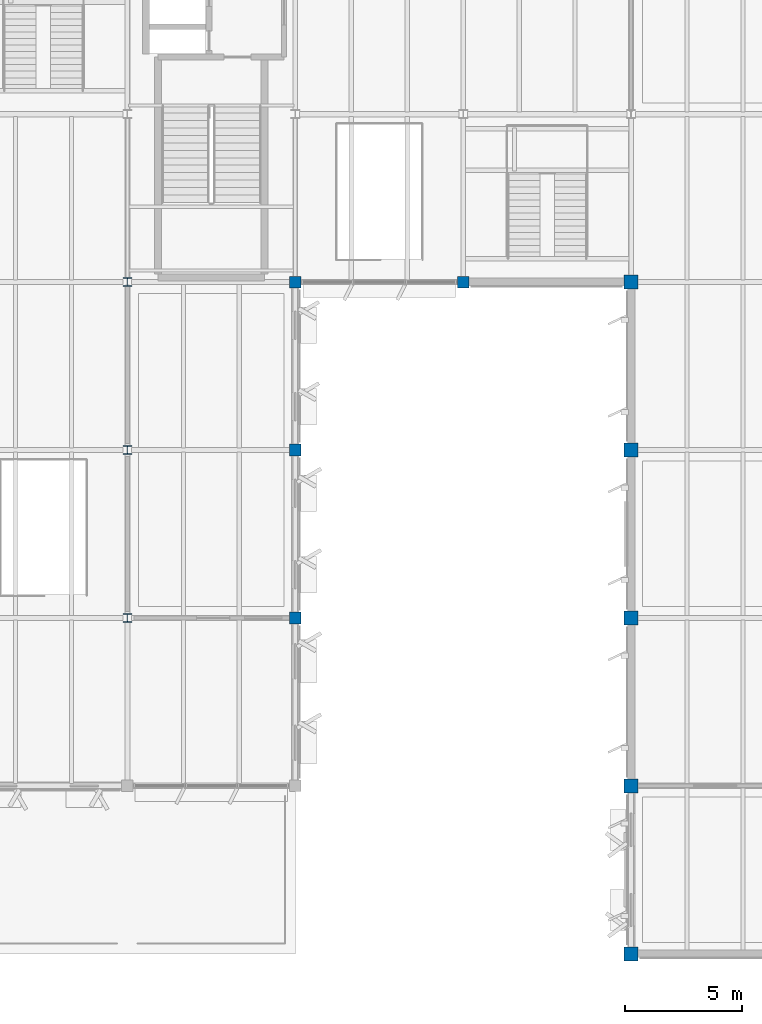
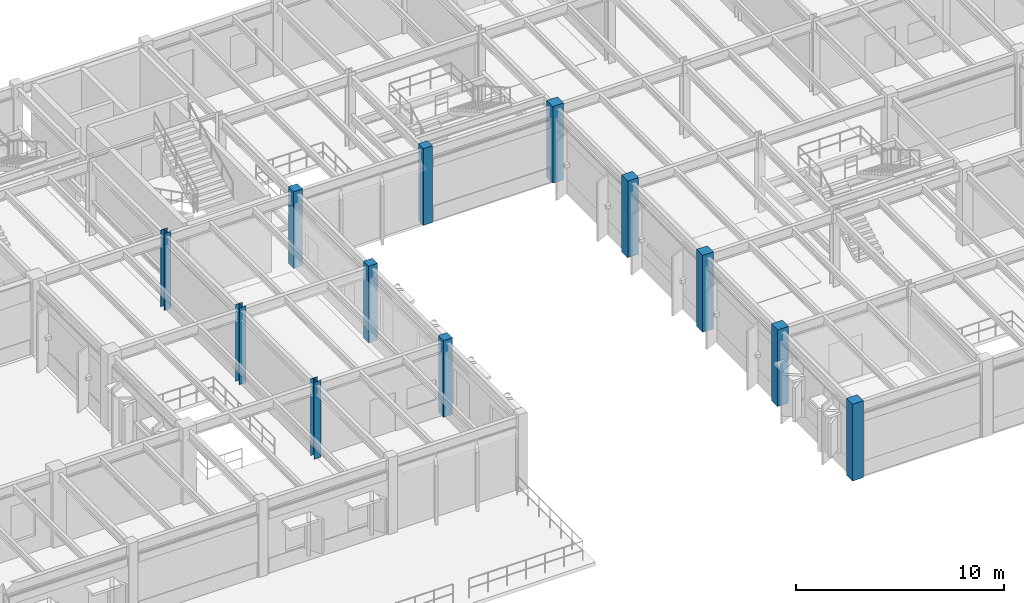
# One storey, part 2 of 92: 12 columns.
"""IFC4 building model written with IfcOpenShell, lengths in metres."""

from ifc_helpers import new_model, si_unit, direction, frame, origin, origin_2d, place, context, subcontext, project, spatial, rectangle, i_section, extrude, material, material_profile, profile_set, type_object, element, save


model = new_model("IFC4")

# Units and contexts
model_context = context("Model", 3, precision=1e-05, world=origin(), true_north=direction((0.0, 1.0)))
body_context = subcontext(model_context, "Body", "Model", "MODEL_VIEW")
ifc_project = project(units=[si_unit("LENGTHUNIT", "METRE"), si_unit("AREAUNIT", "SQUARE_METRE"), si_unit("VOLUMEUNIT", "CUBIC_METRE"), si_unit("PLANEANGLEUNIT", "RADIAN"), si_unit("MASSUNIT", "GRAM", prefix="KILO")], contexts=[model_context])

# Site, building, storey
site_placement = place(None, origin())
site = spatial("IfcSite", under=ifc_project, at=site_placement, CompositionType="ELEMENT")
building_placement = place(site_placement, origin())
building = spatial("IfcBuilding", under=site, at=building_placement, Name="Sillqori Civic Hall", CompositionType="ELEMENT")
storey_placement = place(building_placement, frame((0.0, 0.0, 5.39990234375)))
storey = spatial("IfcBuildingStorey", under=building, at=storey_placement, Name="L02", CompositionType="ELEMENT", Elevation=5.39990234375)

# Columns
ifc_material_1 = material(Name="Concrete C35/45 (H35)", Category="concrete")
ifc_material_profile_1 = material_profile(ifc_material_1, rectangle(XDim=0.5, YDim=0.5, at=origin_2d()), Name="RC 500x500")
ifc_profile_set_1 = profile_set([ifc_material_profile_1], Name="Concrete C35/45 (H35)")
column_type_1 = type_object("IfcColumnType", Name="COL-RC500", PredefinedType="COLUMN", material=ifc_profile_set_1)
for number, where, z_axis, x_axis, name in (
    (1, (50.39990234375, 21.60009765625, 0.0), (0.0, 0.0, 1.0), (1.0, 0.0, 0.0), "L02 column 7-3"),
    (2, (50.39990234375, 28.800048828125, 0.0), (0.0, 0.0, 1.0), (1.0, 0.0, 0.0), "L02 column 7-4"),
    (3, (50.39990234375, 36.0, 0.0), (0.0, 0.0, 1.0), (1.0, 0.0, 0.0), "L02 column 7-5"),
    (4, (57.60009765625, 36.0, 0.0), (0.0, 0.0, 1.0), (1.0, 0.0, 0.0), "L02 column 8-5"),
):
    element("IfcColumn", number, at=place(storey_placement, frame(where, z_axis=z_axis, x_axis=x_axis)), inside=storey, type_object=column_type_1, Name=name, PredefinedType="COLUMN", context=body_context, shape_type="SweptSolid", body=[
        extrude(rectangle(XDim=0.5, YDim=0.5, at=origin_2d()), origin(), (0.0, 0.0, 1.0), 4.5),
    ])
ifc_material_profile_2 = material_profile(ifc_material_1, rectangle(XDim=0.60009765625, YDim=0.60009765625, at=origin_2d()), Name="RC 600x600")
ifc_profile_set_2 = profile_set([ifc_material_profile_2], Name="Concrete C35/45 (H35)")
column_type_2 = type_object("IfcColumnType", Name="COL-RC600", PredefinedType="COLUMN", material=ifc_profile_set_2)
for number, where, z_axis, x_axis, name in (
    (5, (64.800048828125, 7.199951171875, 0.0), (0.0, 0.0, 1.0), (1.0, 0.0, 0.0), "L02 column 9-1"),
    (6, (64.800048828125, 14.39990234375, 0.0), (0.0, 0.0, 1.0), (1.0, 0.0, 0.0), "L02 column 9-2"),
    (7, (64.800048828125, 21.60009765625, 0.0), (0.0, 0.0, 1.0), (1.0, 0.0, 0.0), "L02 column 9-3"),
    (8, (64.800048828125, 28.800048828125, 0.0), (0.0, 0.0, 1.0), (1.0, 0.0, 0.0), "L02 column 9-4"),
    (9, (64.800048828125, 36.0, 0.0), (0.0, 0.0, 1.0), (1.0, 0.0, 0.0), "L02 column 9-5"),
):
    element("IfcColumn", number, at=place(storey_placement, frame(where, z_axis=z_axis, x_axis=x_axis)), inside=storey, type_object=column_type_2, Name=name, PredefinedType="COLUMN", context=body_context, shape_type="SweptSolid", body=[
        extrude(rectangle(XDim=0.60009765625, YDim=0.60009765625, at=origin_2d()), origin(), (0.0, 0.0, 1.0), 4.5),
    ])
ifc_material_2 = material(Name="Steel ASTM A992", Category="steel")
ifc_material_profile_3 = material_profile(ifc_material_2, i_section(OverallWidth=0.37109375, OverallDepth=0.361083984375, WebThickness=0.012451171875, FlangeThickness=0.019775390625, FilletRadius=0.014892578125, at=origin_2d()), Name="W14X99")
ifc_profile_set_3 = profile_set([ifc_material_profile_3], Name="Steel ASTM A992")
column_type_3 = type_object("IfcColumnType", Name="COL-W14X99", PredefinedType="COLUMN", material=ifc_profile_set_3)
for number, where, z_axis, x_axis, name in (
    (10, (43.199951171875, 21.60009765625, 0.0), (0.0, 0.0, 1.0), (1.0, 0.0, 0.0), "L02 column 6-3"),
    (11, (43.199951171875, 28.800048828125, 0.0), (0.0, 0.0, 1.0), (1.0, 0.0, 0.0), "L02 column 6-4"),
    (12, (43.199951171875, 36.0, 0.0), (0.0, 0.0, 1.0), (1.0, 0.0, 0.0), "L02 column 6-5"),
):
    element("IfcColumn", number, at=place(storey_placement, frame(where, z_axis=z_axis, x_axis=x_axis)), inside=storey, type_object=column_type_3, Name=name, PredefinedType="COLUMN", context=body_context, shape_type="SweptSolid", body=[
        extrude(i_section(OverallWidth=0.37109375, OverallDepth=0.361083984375, WebThickness=0.012451171875, FlangeThickness=0.019775390625, FilletRadius=0.014892578125, at=origin_2d()), origin(), (0.0, 0.0, 1.0), 4.5),
    ])

save(model, "model.ifc")
